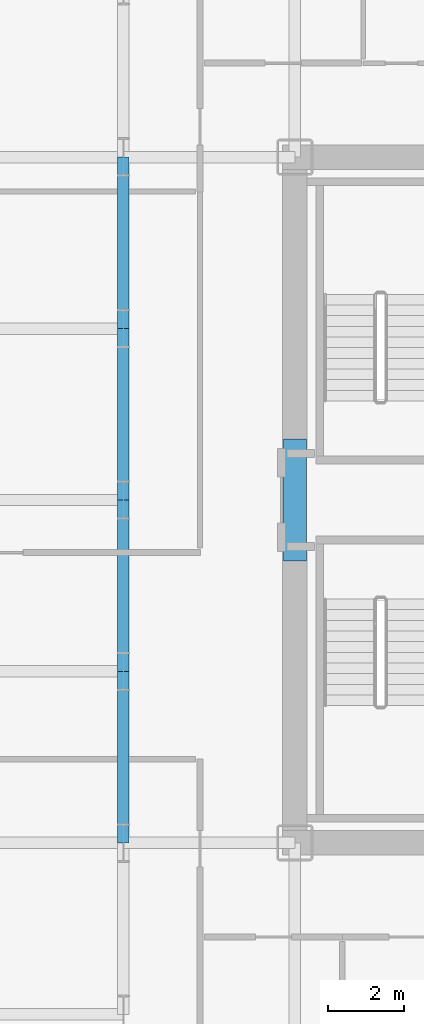
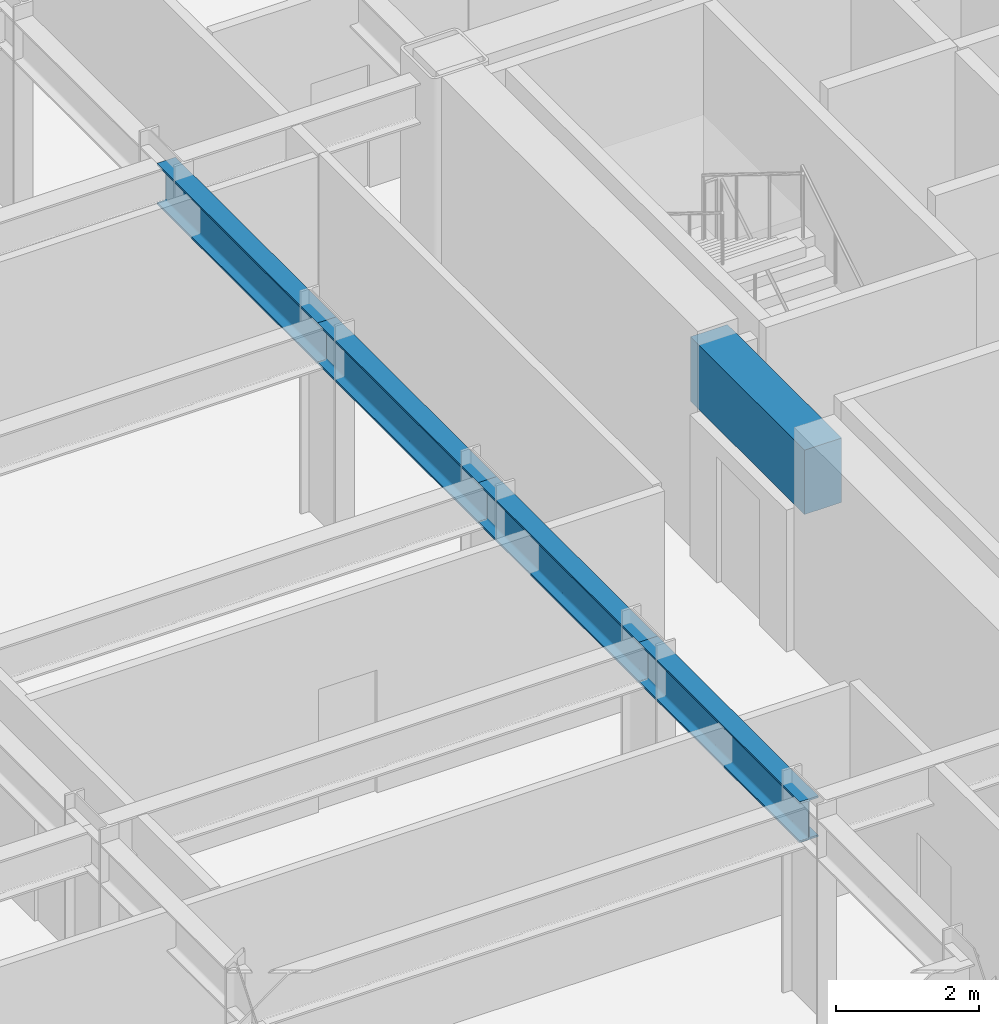
# One storey, part 7 of 29: 5 beams.
"""IFC4 building model written with IfcOpenShell, lengths in metres."""

from ifc_helpers import new_model, si_unit, direction, frame, origin, origin_2d, place, context, subcontext, project, spatial, rectangle, i_section, extrude, source, transform, mapped, material, material_profile, profile_set, type_object, element, save


model = new_model("IFC4")

# Units and contexts
model_context = context("Model", 3, precision=1e-05, world=origin(), true_north=direction((0.0, 1.0)))
body_context = subcontext(model_context, "Body", "Model", "MODEL_VIEW")
ifc_project = project(units=[si_unit("LENGTHUNIT", "METRE"), si_unit("AREAUNIT", "SQUARE_METRE"), si_unit("VOLUMEUNIT", "CUBIC_METRE"), si_unit("PLANEANGLEUNIT", "RADIAN"), si_unit("MASSUNIT", "GRAM", prefix="KILO")], contexts=[model_context])

# Site, building, storey
site_placement = place(None, origin())
site = spatial("IfcSite", under=ifc_project, at=site_placement, CompositionType="ELEMENT")
building_placement = place(site_placement, origin())
building = spatial("IfcBuilding", under=site, at=building_placement, Name="Nefas-Gora Pilgrimage Tower", CompositionType="ELEMENT")
storey_placement = place(building_placement, frame((0.0, 0.0, 78.60009765625)))
storey = spatial("IfcBuildingStorey", under=building, at=storey_placement, Name="L18", CompositionType="ELEMENT", Elevation=78.60009765625)

# Beams
ifc_material_1 = material(Name="Concrete C60/75", Category="concrete")
ifc_material_profile_1 = material_profile(ifc_material_1, rectangle(XDim=0.60009765625, YDim=1.10009765625, at=origin_2d()), Name="RC 600x1100")
ifc_profile_set_1 = profile_set([ifc_material_profile_1], Name="Concrete C60/75")
beam_type_1 = type_object("IfcBeamType", Name="BM-LIN-RC1100", PredefinedType="LINTEL", material=ifc_profile_set_1)
shared_shape_1 = source(origin(), body_context, "Body", "SweptSolid", [
    extrude(rectangle(XDim=0.60009765625, YDim=1.10009765625, at=origin_2d()), origin(), (0.0, 0.0, 1.0), 3.2001953125),
])
beam_placement = place(storey_placement, frame((-11.25, -1.60009765625, 3.0), z_axis=(0.0, 1.0, 0.0), x_axis=(-1.0, 0.0, 0.0)))
element("IfcBeam", 1, at=beam_placement, inside=storey, type_object=beam_type_1, Name="L18 Core Coupling Lintel Beam W", PredefinedType="LINTEL", context=body_context, shape_type="MappedRepresentation", body=[
    mapped(shared_shape_1, transform((0.0, 0.0, 0.0), x_axis=(1.0, 0.0, 0.0), y_axis=(0.0, 1.0, 0.0), z_axis=(0.0, 0.0, 1.0), scale=1.0)),
])
ifc_material_2 = material(Name="Steel S355", Category="steel")
ifc_material_profile_2 = material_profile(ifc_material_2, i_section(OverallWidth=0.300048828125, OverallDepth=0.699951171875, WebThickness=0.01708984375, FlangeThickness=0.031982421875, FilletRadius=0.027099609375, at=origin_2d()), Name="HEB 700")
ifc_profile_set_2 = profile_set([ifc_material_profile_2], Name="Steel S355")
beam_type_2 = type_object("IfcBeamType", Name="BM-GIR-HEB700", PredefinedType="BEAM", material=ifc_profile_set_2)
shared_shape_2 = source(origin(), body_context, "Body", "SweptSolid", [
    extrude(i_section(OverallWidth=0.300048828125, OverallDepth=0.699951171875, WebThickness=0.01708984375, FlangeThickness=0.031982421875, FilletRadius=0.027099609375, at=origin_2d()), origin(), (0.0, 0.0, 1.0), 4.5),
])
for number, where, z_axis, x_axis, name in (
    (2, (-15.75, -9.0, 3.199951171875), (0.0, 1.0, 0.0), (-1.0, 0.0, 0.0), "L18 G-02 beam"),
    (3, (-15.75, -4.5, 3.199951171875), (0.0, 1.0, 0.0), (-1.0, 0.0, 0.0), "L18 G-02 beam"),
    (4, (-15.75, 0.0, 3.199951171875), (0.0, 1.0, 0.0), (-1.0, 0.0, 0.0), "L18 G-02 beam"),
    (5, (-15.75, 4.5, 3.199951171875), (0.0, 1.0, 0.0), (-1.0, 0.0, 0.0), "L18 G-02 beam"),
):
    element("IfcBeam", number, at=place(storey_placement, frame(where, z_axis=z_axis, x_axis=x_axis)), inside=storey, type_object=beam_type_2, Name=name, PredefinedType="BEAM", context=body_context, shape_type="MappedRepresentation", body=[
        mapped(shared_shape_2, transform((0.0, 0.0, 0.0), x_axis=(1.0, 0.0, 0.0), y_axis=(0.0, 1.0, 0.0), z_axis=(0.0, 0.0, 1.0), scale=1.0)),
    ])

save(model, "model.ifc")
